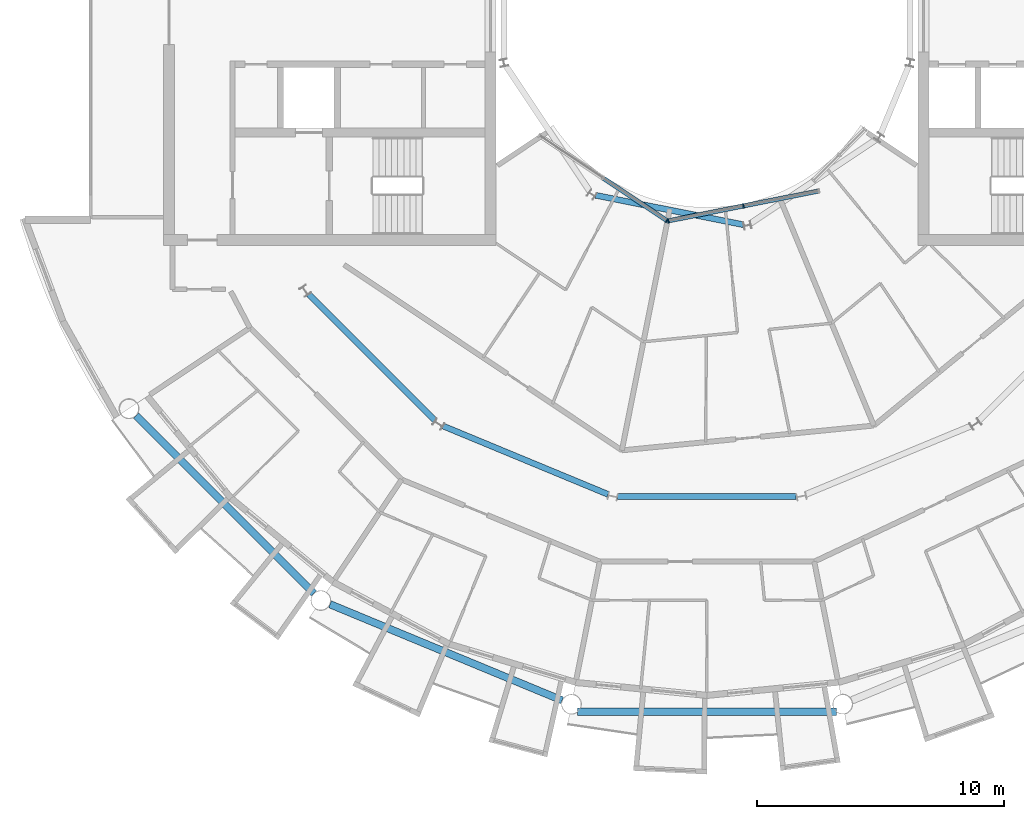
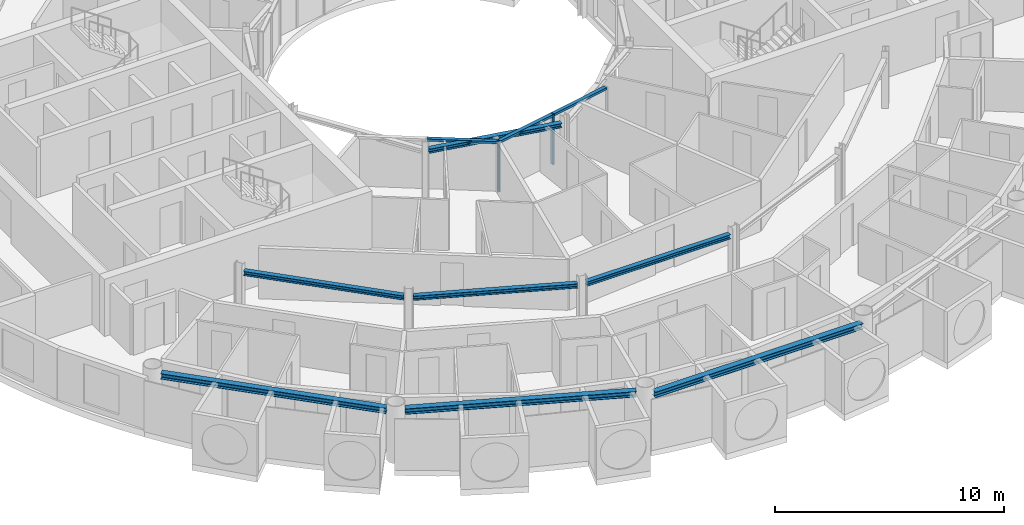
# One storey, part 6 of 29: 7 beams, 6 members, 2 elements without a shape of their own.
"""IFC4 building model written with IfcOpenShell, lengths in metres."""

import ifcopenshell
import ifcopenshell.guid

model = None  # the IFC model being written
_history = None  # IfcOwnerHistory: only IFC2X3 demands one
_inside = {}  # id of a spatial element -> (the spatial element, [elements in it])
_under = {}  # id of a project, library or spatial element -> (it, [spatial elements below it])
_declared = {}  # id of a project -> (the project, [libraries it declares])
_typed = {}  # id of a type object -> (the type object, [elements of that type])
_made_of = {}  # id of a material, layer set ... -> (it, [elements and type objects made of it])


def new_model(schema):
    """Start an empty IFC model of exactly this schema.

    Asked for "IFC4X3", IfcOpenShell would pick the latest addendum, in which some entities
    have other attributes; the version numbers below select the first issue.
    IFC2X3 requires an IfcOwnerHistory on every rooted entity: one is made here for all.
    """
    global model, _history
    if schema == "IFC4X3":
        model = ifcopenshell.file(schema_version=(4, 3, 0, 0))
    else:
        model = ifcopenshell.file(schema=schema)
    _inside.clear()
    _under.clear()
    _declared.clear()
    _typed.clear()
    _made_of.clear()
    _history = None
    if model.schema == "IFC2X3":
        org = make("IfcOrganization", Name="unknown")
        user = make(
            "IfcPersonAndOrganization",
            ThePerson=make("IfcPerson", FamilyName="unknown"),
            TheOrganization=org,
        )
        app = make(
            "IfcApplication",
            ApplicationDeveloper=org,
            Version="unknown",
            ApplicationFullName="unknown",
            ApplicationIdentifier="unknown",
        )
        _history = make(
            "IfcOwnerHistory",
            OwningUser=user,
            OwningApplication=app,
            ChangeAction="ADDED",
            CreationDate=0,
        )
    return model


def make(cls, **values):
    """One entity of the class cls with the attributes given. An attribute that is None is left unset."""
    return model.create_entity(
        cls, **{name: value for name, value in values.items() if value is not None}
    )


def rooted(cls, **values):
    """An entity with a GlobalId (a new one), such as an element, a storey or a relation."""
    return make(cls, GlobalId=ifcopenshell.guid.new(), OwnerHistory=_history, **values)


def si_unit(unit_type, name, prefix=None):
    """IfcSIUnit, for example si_unit("LENGTHUNIT", "METRE", prefix="MILLI")."""
    return make("IfcSIUnit", UnitType=unit_type, Prefix=prefix, Name=name)


def assignment(units):
    """IfcUnitAssignment: the units of a project."""
    return None if units is None else make("IfcUnitAssignment", Units=units)


def point(xyz):
    """IfcCartesianPoint."""
    return None if xyz is None else make("IfcCartesianPoint", Coordinates=xyz)


def direction(xyz):
    """IfcDirection."""
    return None if xyz is None else make("IfcDirection", DirectionRatios=xyz)


def frame(location, z_axis=None, x_axis=None):
    """IfcAxis2Placement3D, a coordinate frame: its origin and axes. An axis left out is left unset."""
    return make(
        "IfcAxis2Placement3D",
        Location=point(location),
        Axis=direction(z_axis),
        RefDirection=direction(x_axis),
    )


def frame_2d(location, x_axis=None):
    """IfcAxis2Placement2D, a coordinate frame in the plane: its origin and x axis."""
    return make(
        "IfcAxis2Placement2D", Location=point(location), RefDirection=direction(x_axis)
    )


def origin():
    """The frame at (0, 0, 0) with its axes left unset."""
    return frame((0.0, 0.0, 0.0))


def origin_2d():
    """The frame at (0, 0) in the plane with its x axis left unset."""
    return frame_2d((0.0, 0.0))


def place(relative_to, where):
    """IfcLocalPlacement: puts the frame where relative to a parent placement (None: the world)."""
    return make(
        "IfcLocalPlacement", PlacementRelTo=relative_to, RelativePlacement=where
    )


def context(
    kind, dimensions, precision=None, world=None, true_north=None, identifier=None
):
    """IfcGeometricRepresentationContext, for example the 3D "Model" context."""
    return make(
        "IfcGeometricRepresentationContext",
        ContextIdentifier=identifier,
        ContextType=kind,
        CoordinateSpaceDimension=dimensions,
        Precision=precision,
        WorldCoordinateSystem=world,
        TrueNorth=true_north,
    )


def subcontext(parent, identifier, kind, view, scale=None):
    """IfcGeometricRepresentationSubContext, for example "Body" below "Model"."""
    return make(
        "IfcGeometricRepresentationSubContext",
        ContextIdentifier=identifier,
        ContextType=kind,
        ParentContext=parent,
        TargetScale=scale,
        TargetView=view,
    )


def project(units=None, contexts=None):
    """IfcProject with its units and contexts."""
    return rooted(
        "IfcProject",
        Name="project",
        RepresentationContexts=contexts,
        UnitsInContext=assignment(units),
    )


def spatial(cls, under=None, at=None, **own):
    """A site, building, storey or space (cls), placed at a placement, below another one or the project."""
    s = rooted(cls, ObjectPlacement=at, **own)
    if under is not None:
        _under.setdefault(under.id(), (under, []))[1].append(s)
    return s


def profile(cls, at=None, kind="AREA", **sizes):
    """A parametric profile (cls). Its sizes go by their IFC names, for example OverallWidth=200.0."""
    return make(cls, ProfileType=kind, Position=at, **sizes)


def rectangle(**sizes):
    """IfcRectangleProfileDef."""
    return profile("IfcRectangleProfileDef", **sizes)


def i_section(**sizes):
    """IfcIShapeProfileDef."""
    return profile("IfcIShapeProfileDef", **sizes)


def extrude(swept, where, along, depth):
    """IfcExtrudedAreaSolid: the profile swept, set in the frame where, extruded along a direction by depth."""
    return make(
        "IfcExtrudedAreaSolid",
        SweptArea=swept,
        Position=where,
        ExtrudedDirection=direction(along),
        Depth=depth,
    )


def shape(context_of_items, identifier, shape_type, items):
    """IfcShapeRepresentation: the items that make up one representation, for example the "Body"."""
    return make(
        "IfcShapeRepresentation",
        ContextOfItems=context_of_items,
        RepresentationIdentifier=identifier,
        RepresentationType=shape_type,
        Items=items,
    )


def material(Name=None, Category=None):
    """IfcMaterial."""
    return make("IfcMaterial", Name=Name, Category=Category)


def layer(
    of_material, thickness, ventilated=None, Name=None, Category=None, Priority=None
):
    """IfcMaterialLayer: one layer of a wall or slab, of a material (None: an air gap)."""
    return make(
        "IfcMaterialLayer",
        Material=of_material,
        LayerThickness=thickness,
        IsVentilated=ventilated,
        Name=Name,
        Category=Category,
        Priority=Priority,
    )


def layer_set(layers, Name=None):
    """IfcMaterialLayerSet."""
    return make("IfcMaterialLayerSet", MaterialLayers=layers, LayerSetName=Name)


def material_profile(
    of_material, cross_section, Name=None, Category=None, Priority=None
):
    """IfcMaterialProfile: a cross section and its material."""
    return make(
        "IfcMaterialProfile",
        Name=Name,
        Material=of_material,
        Profile=cross_section,
        Priority=Priority,
        Category=Category,
    )


def profile_set(profiles, Name=None, composite=None):
    """IfcMaterialProfileSet."""
    return make(
        "IfcMaterialProfileSet",
        Name=Name,
        MaterialProfiles=profiles,
        CompositeProfile=composite,
    )


def made_of(thing, what):
    """Note that an element or type object is made of a material, layer set ...; save() writes the relation."""
    if what is not None:
        _made_of.setdefault(what.id(), (what, []))[1].append(thing)
    return thing


def type_object(cls, material=None, **own):
    """A type object (cls), such as IfcWallType, which elements share."""
    return made_of(rooted(cls, **own), material)


def element(
    cls,
    number,
    at=None,
    inside=None,
    cuts=None,
    type_object=None,
    material=None,
    context=None,
    identifier="Body",
    shape_type=None,
    held_by="IfcProductDefinitionShape",
    body=None,
    shapes=None,
    **own,
):
    """One element of the class cls, such as IfcWall. Its Tag is "e" and its number.

    at: its placement. inside: the storey or other place that contains it. cuts: it is an
    opening in that element (IfcRelVoidsElement). A single representation is given by context,
    identifier, shape_type and body (its items); several are given by shapes. held_by: the class
    of the entity that holds the representations. save() writes the other relations.
    """
    e = rooted(cls, Tag="e%d" % number, ObjectPlacement=at, **own)
    if body is not None:
        shapes = [shape(context, identifier, shape_type, body)]
    if shapes is not None:
        e.Representation = make(held_by, Representations=shapes)
    if inside is not None:
        _inside.setdefault(inside.id(), (inside, []))[1].append(e)
    if cuts is not None:
        rooted(
            "IfcRelVoidsElement", RelatingBuildingElement=cuts, RelatedOpeningElement=e
        )
    if type_object is not None:
        _typed.setdefault(type_object.id(), (type_object, []))[1].append(e)
    return made_of(e, material)


def aggregate(whole, parts):
    """IfcRelAggregates: a whole, such as a stair, and the parts it consists of."""
    return rooted("IfcRelAggregates", RelatingObject=whole, RelatedObjects=parts)


def save(model, path):
    """Write the relations noted so far, then the file.

    IfcRelAggregates (storeys below a building ...), IfcRelContainedInSpatialStructure (elements
    in a storey), IfcRelDefinesByType, IfcRelAssociatesMaterial and IfcRelDeclares: one each for
    every whole, place, type object, material and project.
    """
    for whole, parts in _under.values():
        aggregate(whole, parts)
    for where, things in _inside.values():
        rooted(
            "IfcRelContainedInSpatialStructure",
            RelatedElements=things,
            RelatingStructure=where,
        )
    for kind, things in _typed.values():
        rooted("IfcRelDefinesByType", RelatedObjects=things, RelatingType=kind)
    for what, things in _made_of.values():
        rooted("IfcRelAssociatesMaterial", RelatedObjects=things, RelatingMaterial=what)
    for by, libraries in _declared.values():
        rooted("IfcRelDeclares", RelatingContext=by, RelatedDefinitions=libraries)
    model.write(path)


model = new_model("IFC4")

# Units and contexts
model_context = context("Model", 3, precision=1e-05, world=origin(), true_north=direction((0.0, 1.0)))
body_context = subcontext(model_context, "Body", "Model", "MODEL_VIEW")
ifc_project = project(units=[si_unit("LENGTHUNIT", "METRE"), si_unit("AREAUNIT", "SQUARE_METRE"), si_unit("VOLUMEUNIT", "CUBIC_METRE"), si_unit("PLANEANGLEUNIT", "RADIAN"), si_unit("MASSUNIT", "GRAM", prefix="KILO")], contexts=[model_context])

# Site, building, storey
site_placement = place(None, origin())
site = spatial("IfcSite", under=ifc_project, at=site_placement, CompositionType="ELEMENT")
building_placement = place(site_placement, origin())
building = spatial("IfcBuilding", under=site, at=building_placement, Name="Maasbend Ring Residences", CompositionType="ELEMENT")
storey_placement = place(building_placement, frame((0.0, 0.0, 212.699951171875)))
storey = spatial("IfcBuildingStorey", under=building, at=storey_placement, Name="L61", CompositionType="ELEMENT", Elevation=212.699951171875)

# Curtain wall, member
ifc_material_1 = material(Name="Aluminium and clear glass", Category="aluminium")
ifc_layer = layer(ifc_material_1, 0.179931640625)
ifc_layer_set = layer_set([ifc_layer], Name="CW-W")
curtain_wall_type = type_object("IfcCurtainWallType", Name="CW-W", PredefinedType="NOTDEFINED", material=ifc_layer_set)
curtain_wall_1_placement = place(storey_placement, origin())
curtain_wall_1 = element("IfcCurtainWall", 1, at=curtain_wall_1_placement, inside=storey, type_object=curtain_wall_type, Name="Well curtain wall S1", PredefinedType="NOTDEFINED")
ifc_material_2 = material(Name="Aluminium 6063-T6", Category="aluminium")
ifc_material_profile_1 = material_profile(ifc_material_2, rectangle(XDim=0.179931640625, YDim=0.06005859375, at=origin_2d()), Name="AL 180x60")
ifc_profile_set_1 = profile_set([ifc_material_profile_1], Name="Aluminium 6063-T6")
member_type_1 = type_object("IfcMemberType", Name="CWM-W", PredefinedType="MULLION", material=ifc_profile_set_1)
member_1_placement = place(storey_placement, frame((-1.627685546875, -8.040771484375, 0.0), z_axis=(0.0, 0.0, 1.0), x_axis=(0.55557023302, 0.831469612303, 0.0)))
member_1 = element("IfcMember", 2, at=member_1_placement, type_object=member_type_1, Name="Mullion well face", PredefinedType="MULLION", context=body_context, shape_type="SweptSolid", body=[
    extrude(rectangle(XDim=0.179931640625, YDim=0.06005859375, at=origin_2d()), origin(), (0.0, 0.0, 1.0), 2.699951171875),
])

# Curtain wall, members
curtain_wall_2_placement = place(storey_placement, origin())
curtain_wall_2 = element("IfcCurtainWall", 3, at=curtain_wall_2_placement, inside=storey, type_object=curtain_wall_type, Name="Well curtain wall S2", PredefinedType="NOTDEFINED")
member_2_placement = place(storey_placement, frame((-1.5732421875, -8.0517578125, 0.0), z_axis=(0.0, 0.0, 1.0), x_axis=(-0.195090322016, 0.980785280403, 0.0)))
member_2 = element("IfcMember", 4, at=member_2_placement, type_object=member_type_1, Name="Mullion well face", PredefinedType="MULLION", context=body_context, shape_type="SweptSolid", body=[
    extrude(rectangle(XDim=0.179931640625, YDim=0.06005859375, at=origin_2d()), origin(), (0.0, 0.0, 1.0), 2.699951171875),
])
member_3_placement = place(storey_placement, frame((1.480712890625, -7.444091796875, 0.0), z_axis=(0.0, 0.0, 1.0), x_axis=(-0.195090322016, 0.980785280403, 0.0)))
member_3 = element("IfcMember", 5, at=member_3_placement, type_object=member_type_1, Name="Mullion well face", PredefinedType="MULLION", context=body_context, shape_type="SweptSolid", body=[
    extrude(rectangle(XDim=0.179931640625, YDim=0.06005859375, at=origin_2d()), origin(), (0.0, 0.0, 1.0), 2.699951171875),
])

# Member
ifc_material_3 = material(Name="Aluminium 6063-T6", Category="aluminium")
ifc_material_profile_2 = material_profile(ifc_material_3, rectangle(XDim=0.179931640625, YDim=0.1201171875, at=origin_2d()), Name="AL 180x120")
ifc_profile_set_2 = profile_set([ifc_material_profile_2], Name="Aluminium 6063-T6")
member_type_2 = type_object("IfcMemberType", Name="CWT-W", PredefinedType="USERDEFINED", material=ifc_profile_set_2)
member_4_placement = place(storey_placement, frame((-4.19189453125, -6.32763671875, 2.64013671875), z_axis=(0.831496422459, -0.555530106689, 0.0), x_axis=(0.555530106689, 0.831496422459, 0.0)))
member_4 = element("IfcMember", 6, at=member_4_placement, type_object=member_type_2, Name="Transom well face", ObjectType="TRANSOM", PredefinedType="USERDEFINED", context=body_context, shape_type="SweptSolid", body=[
    extrude(rectangle(XDim=0.179931640625, YDim=0.1201171875, at=origin_2d()), origin(), (0.0, 0.0, 1.0), 3.053955078125),
])

aggregate(curtain_wall_1, [member_1, member_4])

member_5_placement = place(storey_placement, frame((-1.5439453125, -8.0458984375, 2.64013671875), z_axis=(0.980776956105, 0.195132166424, 0.0), x_axis=(-0.195132166424, 0.980776956105, 0.0)))
member_5 = element("IfcMember", 7, at=member_5_placement, type_object=member_type_2, Name="Transom well face", ObjectType="TRANSOM", PredefinedType="USERDEFINED", context=body_context, shape_type="SweptSolid", body=[
    extrude(rectangle(XDim=0.179931640625, YDim=0.1201171875, at=origin_2d()), origin(), (0.0, 0.0, 1.0), 3.053955078125),
])

member_6_placement = place(storey_placement, frame((1.51025390625, -7.438232421875, 2.64013671875), z_axis=(0.980789210404, 0.19507056353, 0.0), x_axis=(-0.19507056353, 0.980789210404, 0.0)))
member_6 = element("IfcMember", 8, at=member_6_placement, type_object=member_type_2, Name="Transom well face", ObjectType="TRANSOM", PredefinedType="USERDEFINED", context=body_context, shape_type="SweptSolid", body=[
    extrude(rectangle(XDim=0.179931640625, YDim=0.1201171875, at=origin_2d()), origin(), (0.0, 0.0, 1.0), 3.0537109375),
])

aggregate(curtain_wall_2, [member_2, member_3, member_5, member_6])

# Beams
ifc_material_4 = material(Name="Steel S355J2", Category="steel")
ifc_material_profile_3 = material_profile(ifc_material_4, i_section(OverallWidth=0.239990234375, OverallDepth=0.22998046875, WebThickness=0.007568359375, FlangeThickness=0.011962890625, FilletRadius=0.02099609375, at=origin_2d()), Name="HEA 240")
ifc_profile_set_3 = profile_set([ifc_material_profile_3], Name="Steel S355J2")
beam_type_1 = type_object("IfcBeamType", Name="Corridor ring beam HEA 240", PredefinedType="BEAM", material=ifc_profile_set_3)
beam_1_placement = place(storey_placement, frame((-16.152587890625, -11.033447265625, 2.5849609375), z_axis=(0.707106781187, -0.707106781187, 0.0), x_axis=(0.707106781187, 0.707106781187, 0.0)))
element("IfcBeam", 9, at=beam_1_placement, inside=storey, type_object=beam_type_1, Name="Corridor ring beam", PredefinedType="BEAM", context=body_context, shape_type="SweptSolid", body=[
    extrude(i_section(OverallWidth=0.239990234375, OverallDepth=0.22998046875, WebThickness=0.007568359375, FlangeThickness=0.011962890625, FilletRadius=0.02099609375, at=origin_2d()), origin(), (0.0, 0.0, 1.0), 7.239501953125),
])
for number, where, z_axis, x_axis, name in (
    (10, (-10.70068359375, -16.374755859375, 2.5849609375), (0.923865162022, -0.382718123952, 0.0), (0.382718123952, 0.923865162022, 0.0), "Corridor ring beam"),
    (11, (-3.619873046875, -19.223388671875, 2.5849609375), (1.0, 0.0, 0.0), (0.0, 1.0, 0.0), "Corridor ring beam"),
):
    element("IfcBeam", number, at=place(storey_placement, frame(where, z_axis=z_axis, x_axis=x_axis)), inside=storey, type_object=beam_type_1, Name=name, PredefinedType="BEAM", context=body_context, shape_type="SweptSolid", body=[
        extrude(i_section(OverallWidth=0.239990234375, OverallDepth=0.22998046875, WebThickness=0.007568359375, FlangeThickness=0.011962890625, FilletRadius=0.02099609375, at=origin_2d()), origin(), (0.0, 0.0, 1.0), 7.23974609375),
    ])
ifc_material_5 = material(Name="Steel S355J2", Category="steel")
ifc_material_profile_4 = material_profile(ifc_material_5, i_section(OverallWidth=0.300048828125, OverallDepth=0.300048828125, WebThickness=0.010986328125, FlangeThickness=0.01904296875, FilletRadius=0.027099609375, at=origin_2d()), Name="HEB 300")
ifc_profile_set_4 = profile_set([ifc_material_profile_4], Name="Steel S355J2")
beam_type_2 = type_object("IfcBeamType", Name="Spandrel ring beam HEB 300", PredefinedType="SPANDREL", material=ifc_profile_set_4)
for number, where, z_axis, x_axis, name in (
    (12, (-23.159912109375, -15.95458984375, 2.550048828125), (0.707106781187, -0.707106781187, 0.0), (0.707106781187, 0.707106781187, 0.0), "Spandrel ring beam"),
    (13, (-15.29150390625, -23.60302734375, 2.550048828125), (0.923883676188, -0.382673428492, 0.0), (0.382673428492, 0.923883676188, 0.0), "Spandrel ring beam"),
):
    element("IfcBeam", number, at=place(storey_placement, frame(where, z_axis=z_axis, x_axis=x_axis)), inside=storey, type_object=beam_type_2, Name=name, PredefinedType="SPANDREL", context=body_context, shape_type="SweptSolid", body=[
        extrude(i_section(OverallWidth=0.300048828125, OverallDepth=0.300048828125, WebThickness=0.010986328125, FlangeThickness=0.01904296875, FilletRadius=0.027099609375, at=origin_2d()), origin(), (0.0, 0.0, 1.0), 10.18994140625),
    ])
beam_2_placement = place(storey_placement, frame((-5.2451171875, -27.9580078125, 2.550048828125), z_axis=(1.0, 0.0, 0.0), x_axis=(0.0, 1.0, 0.0)))
element("IfcBeam", 14, at=beam_2_placement, inside=storey, type_object=beam_type_2, Name="Spandrel ring beam", PredefinedType="SPANDREL", context=body_context, shape_type="SweptSolid", body=[
    extrude(i_section(OverallWidth=0.300048828125, OverallDepth=0.300048828125, WebThickness=0.010986328125, FlangeThickness=0.01904296875, FilletRadius=0.027099609375, at=origin_2d()), origin(), (0.0, 0.0, 1.0), 10.490234375),
])
ifc_material_6 = material(Name="Steel S355J2", Category="steel")
ifc_material_profile_5 = material_profile(ifc_material_6, i_section(OverallWidth=0.239990234375, OverallDepth=0.22998046875, WebThickness=0.007568359375, FlangeThickness=0.011962890625, FilletRadius=0.02099609375, at=origin_2d()), Name="HEA 240")
ifc_profile_set_5 = profile_set([ifc_material_profile_5], Name="Steel S355J2")
beam_type_3 = type_object("IfcBeamType", Name="Well edge beam HEA 240", PredefinedType="BEAM", material=ifc_profile_set_5)
beam_3_placement = place(storey_placement, frame((-4.512939453125, -7.014892578125, 2.5849609375), z_axis=(0.980782836869, -0.195102606089, 0.0), x_axis=(0.195102606089, 0.980782836869, 0.0)))
element("IfcBeam", 15, at=beam_3_placement, inside=storey, type_object=beam_type_3, Name="Well edge beam", PredefinedType="BEAM", context=body_context, shape_type="SweptSolid", body=[
    extrude(i_section(OverallWidth=0.239990234375, OverallDepth=0.22998046875, WebThickness=0.007568359375, FlangeThickness=0.011962890625, FilletRadius=0.02099609375, at=origin_2d()), origin(), (0.0, 0.0, 1.0), 6.115234375),
])

save(model, "model.ifc")
